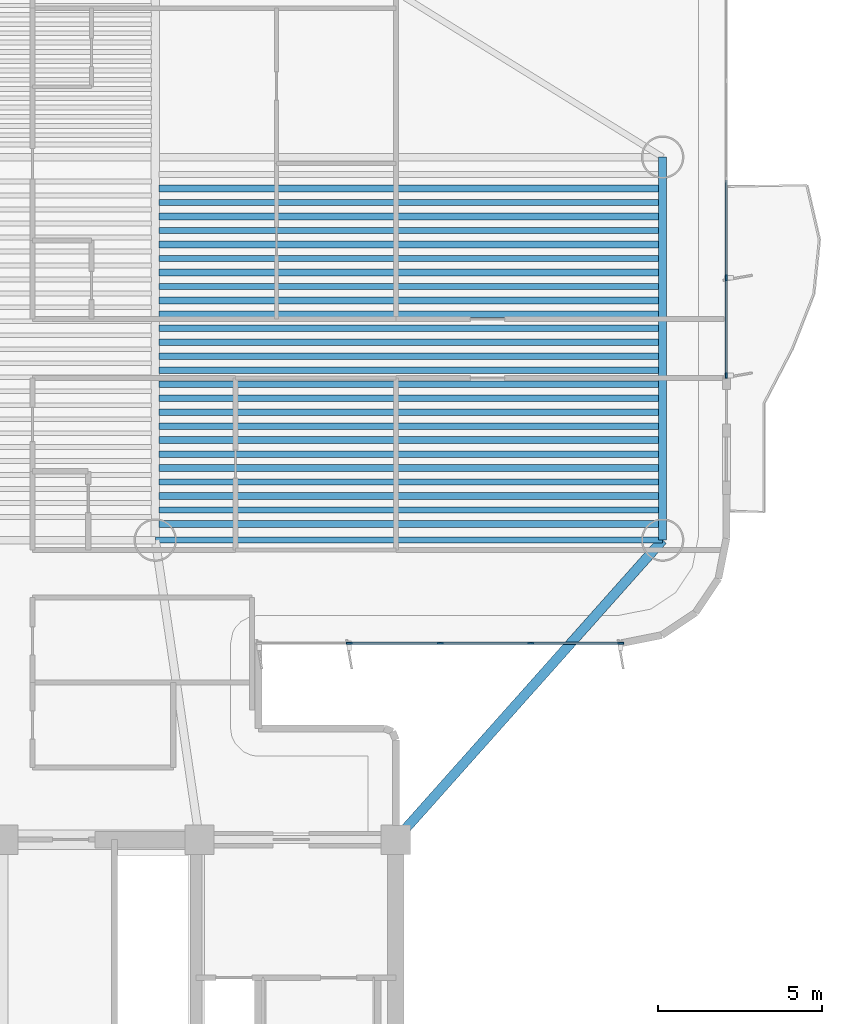
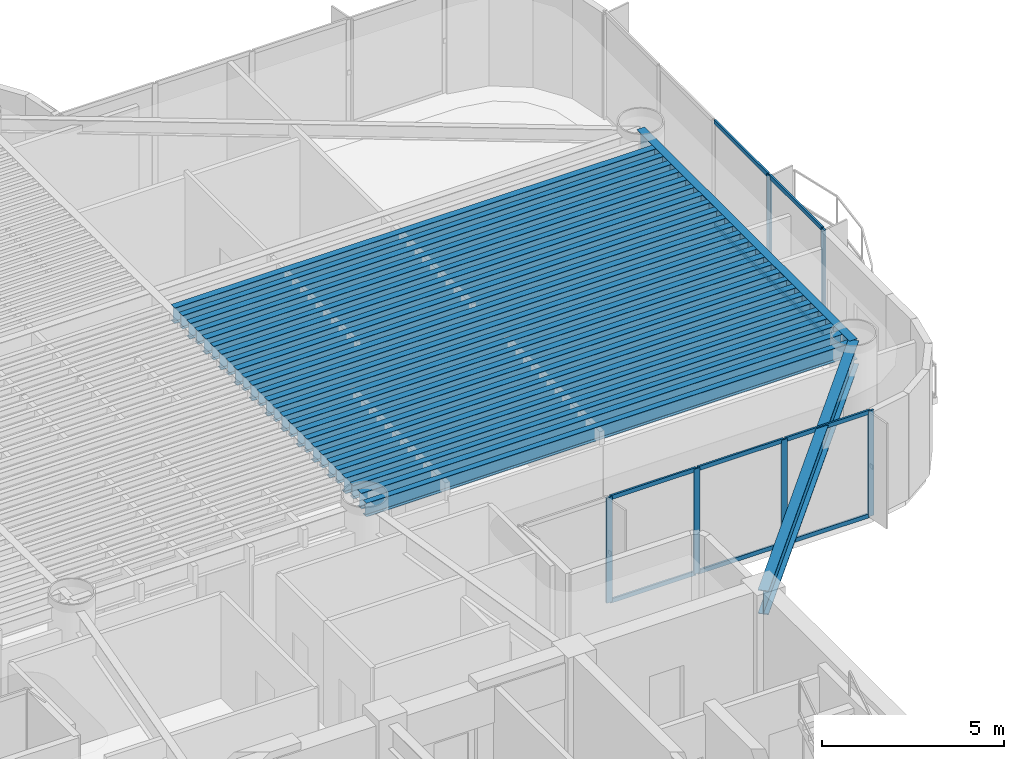
# One storey, part 4 of 17: 28 beams, 16 members, 2 elements without a shape of their own.
"""IFC4 building model written with IfcOpenShell, lengths in metres."""

from ifc_helpers import new_model, si_unit, direction, frame, origin, origin_2d, place, context, subcontext, project, spatial, rectangle, i_section, extrude, source, transform, mapped, material, layer, layer_set, material_profile, profile_set, type_object, element, aggregate, save


model = new_model("IFC4")

# Units and contexts
model_context = context("Model", 3, precision=1e-05, world=origin(), true_north=direction((0.0, 1.0)))
body_context = subcontext(model_context, "Body", "Model", "MODEL_VIEW")
ifc_project = project(units=[si_unit("LENGTHUNIT", "METRE"), si_unit("AREAUNIT", "SQUARE_METRE"), si_unit("VOLUMEUNIT", "CUBIC_METRE"), si_unit("PLANEANGLEUNIT", "RADIAN"), si_unit("MASSUNIT", "GRAM", prefix="KILO")], contexts=[model_context])

# Site, building, storey
site_placement = place(None, origin())
site = spatial("IfcSite", under=ifc_project, at=site_placement, CompositionType="ELEMENT")
building_placement = place(site_placement, origin())
building = spatial("IfcBuilding", under=site, at=building_placement, Name="Brelvock Crest Care Tower", CompositionType="ELEMENT")
storey_placement = place(building_placement, frame((0.0, 0.0, 97.3798828125)))
storey = spatial("IfcBuildingStorey", under=building, at=storey_placement, Name="L24", CompositionType="ELEMENT", Elevation=97.3798828125)

# Beams
ifc_material_1 = material(Name="Steel Grade 350", Category="steel")
ifc_material_profile_1 = material_profile(ifc_material_1, i_section(OverallWidth=0.208984375, OverallDepth=0.532958984375, WebThickness=0.01025390625, FlangeThickness=0.015625, FilletRadius=0.013916015625, at=origin_2d()), Name="530UB92.4")
ifc_profile_set_1 = profile_set([ifc_material_profile_1], Name="Steel Grade 350")
beam_type_1 = type_object("IfcBeamType", Name="BM-G2", PredefinedType="BEAM", material=ifc_profile_set_1)
shared_shape_1 = source(origin(), body_context, "Body", "SweptSolid", [
    extrude(i_section(OverallWidth=0.208984375, OverallDepth=0.532958984375, WebThickness=0.01025390625, FlangeThickness=0.015625, FilletRadius=0.013916015625, at=origin_2d()), origin(), (0.0, 0.0, 1.0), 15.27001953125),
])
for number, where, z_axis, x_axis, name in (
    (1, (40.764892578125, 27.641357421875, 3.263671875), (1.0, 0.0, 0.0), (0.0, 1.0, 0.0), "BM-JE-L24-1"),
    (2, (40.764892578125, 28.49560546875, 3.263671875), (1.0, 0.0, 0.0), (0.0, 1.0, 0.0), "BM-JE-L24-3"),
    (3, (40.764892578125, 29.349609375, 3.263671875), (1.0, 0.0, 0.0), (0.0, 1.0, 0.0), "BM-JE-L24-5"),
    (4, (40.764892578125, 30.20361328125, 3.263671875), (1.0, 0.0, 0.0), (0.0, 1.0, 0.0), "BM-JE-L24-7"),
    (5, (40.764892578125, 31.057861328125, 3.263671875), (1.0, 0.0, 0.0), (0.0, 1.0, 0.0), "BM-JE-L24-9"),
    (6, (40.764892578125, 31.911865234375, 3.263671875), (1.0, 0.0, 0.0), (0.0, 1.0, 0.0), "BM-JE-L24-11"),
    (7, (40.764892578125, 32.76611328125, 3.263671875), (1.0, 0.0, 0.0), (0.0, 1.0, 0.0), "BM-JE-L24-13"),
    (8, (40.764892578125, 33.6201171875, 3.263671875), (1.0, 0.0, 0.0), (0.0, 1.0, 0.0), "BM-JE-L24-15"),
    (9, (40.764892578125, 34.47412109375, 3.263671875), (1.0, 0.0, 0.0), (0.0, 1.0, 0.0), "BM-JE-L24-17"),
    (10, (40.764892578125, 35.328369140625, 3.263671875), (1.0, 0.0, 0.0), (0.0, 1.0, 0.0), "BM-JE-L24-19"),
    (11, (40.764892578125, 36.182373046875, 3.263671875), (1.0, 0.0, 0.0), (0.0, 1.0, 0.0), "BM-JE-L24-21"),
    (12, (40.764892578125, 37.03662109375, 3.263671875), (1.0, 0.0, 0.0), (0.0, 1.0, 0.0), "BM-JE-L24-23"),
    (13, (40.764892578125, 37.890625, 3.263671875), (1.0, 0.0, 0.0), (0.0, 1.0, 0.0), "BM-JE-L24-25"),
):
    element("IfcBeam", number, at=place(storey_placement, frame(where, z_axis=z_axis, x_axis=x_axis)), inside=storey, type_object=beam_type_1, Name=name, PredefinedType="BEAM", context=body_context, shape_type="MappedRepresentation", body=[
        mapped(shared_shape_1, transform((0.0, 0.0, 0.0), x_axis=(1.0, 0.0, 0.0), y_axis=(0.0, 1.0, 0.0), z_axis=(0.0, 0.0, 1.0), scale=1.0)),
    ])
ifc_material_profile_2 = material_profile(ifc_material_1, i_section(OverallWidth=0.19091796875, OverallDepth=0.4599609375, WebThickness=0.010009765625, FlangeThickness=0.01611328125, FilletRadius=0.011474609375, at=origin_2d()), Name="460UB82.1")
ifc_profile_set_2 = profile_set([ifc_material_profile_2], Name="Steel Grade 350")
beam_type_2 = type_object("IfcBeamType", Name="BM-G3", PredefinedType="BEAM", material=ifc_profile_set_2)
shared_shape_2 = source(origin(), body_context, "Body", "SweptSolid", [
    extrude(i_section(OverallWidth=0.19091796875, OverallDepth=0.4599609375, WebThickness=0.010009765625, FlangeThickness=0.01611328125, FilletRadius=0.011474609375, at=origin_2d()), origin(), (0.0, 0.0, 1.0), 15.27001953125),
])
for number, where, z_axis, x_axis, name in (
    (14, (40.764892578125, 28.068359375, 3.300048828125), (1.0, 0.0, 0.0), (0.0, 1.0, 0.0), "BM-JE-L24-2"),
    (15, (40.764892578125, 28.922607421875, 3.300048828125), (1.0, 0.0, 0.0), (0.0, 1.0, 0.0), "BM-JE-L24-4"),
    (16, (40.764892578125, 29.776611328125, 3.300048828125), (1.0, 0.0, 0.0), (0.0, 1.0, 0.0), "BM-JE-L24-6"),
    (17, (40.764892578125, 30.630615234375, 3.300048828125), (1.0, 0.0, 0.0), (0.0, 1.0, 0.0), "BM-JE-L24-8"),
    (18, (40.764892578125, 31.48486328125, 3.300048828125), (1.0, 0.0, 0.0), (0.0, 1.0, 0.0), "BM-JE-L24-10"),
    (19, (40.764892578125, 32.3388671875, 3.300048828125), (1.0, 0.0, 0.0), (0.0, 1.0, 0.0), "BM-JE-L24-12"),
    (20, (40.764892578125, 33.193115234375, 3.300048828125), (1.0, 0.0, 0.0), (0.0, 1.0, 0.0), "BM-JE-L24-14"),
    (21, (40.764892578125, 34.047119140625, 3.300048828125), (1.0, 0.0, 0.0), (0.0, 1.0, 0.0), "BM-JE-L24-16"),
    (22, (40.764892578125, 34.901123046875, 3.300048828125), (1.0, 0.0, 0.0), (0.0, 1.0, 0.0), "BM-JE-L24-18"),
    (23, (40.764892578125, 35.75537109375, 3.300048828125), (1.0, 0.0, 0.0), (0.0, 1.0, 0.0), "BM-JE-L24-20"),
    (24, (40.764892578125, 36.609619140625, 3.300048828125), (1.0, 0.0, 0.0), (0.0, 1.0, 0.0), "BM-JE-L24-22"),
    (25, (40.764892578125, 37.46337890625, 3.300048828125), (1.0, 0.0, 0.0), (0.0, 1.0, 0.0), "BM-JE-L24-24"),
):
    element("IfcBeam", number, at=place(storey_placement, frame(where, z_axis=z_axis, x_axis=x_axis)), inside=storey, type_object=beam_type_2, Name=name, PredefinedType="BEAM", context=body_context, shape_type="MappedRepresentation", body=[
        mapped(shared_shape_2, transform((0.0, 0.0, 0.0), x_axis=(1.0, 0.0, 0.0), y_axis=(0.0, 1.0, 0.0), z_axis=(0.0, 0.0, 1.0), scale=1.0)),
    ])
ifc_material_profile_3 = material_profile(ifc_material_1, i_section(OverallWidth=0.25, OverallDepth=0.699951171875, WebThickness=0.011962890625, FlangeThickness=0.02001953125, at=origin_2d()), Name="700WB150")
ifc_profile_set_3 = profile_set([ifc_material_profile_3], Name="Steel Grade 350")
beam_type_3 = type_object("IfcBeamType", Name="BM-G4", PredefinedType="BEAM", material=ifc_profile_set_3)
shared_shape_3 = source(origin(), body_context, "Body", "SweptSolid", [
    extrude(i_section(OverallWidth=0.25, OverallDepth=0.699951171875, WebThickness=0.011962890625, FlangeThickness=0.02001953125, at=origin_2d()), origin(), (0.0, 0.0, 1.0), 11.7001953125),
])
beam_1_placement = place(storey_placement, frame((56.14990234375, 27.14990234375, 3.18017578125), z_axis=(0.0, 1.0, 0.0), x_axis=(-1.0, 0.0, 0.0)))
element("IfcBeam", 26, at=beam_1_placement, inside=storey, type_object=beam_type_3, Name="BM-TWR-L24-02", PredefinedType="BEAM", context=body_context, shape_type="MappedRepresentation", body=[
    mapped(shared_shape_3, transform((0.0, 0.0, 0.0), x_axis=(1.0, 0.0, 0.0), y_axis=(0.0, 1.0, 0.0), z_axis=(0.0, 0.0, 1.0), scale=1.0)),
])
ifc_material_profile_4 = material_profile(ifc_material_1, i_section(OverallWidth=0.19091796875, OverallDepth=0.4599609375, WebThickness=0.010009765625, FlangeThickness=0.01611328125, FilletRadius=0.011474609375, at=origin_2d()), Name="460UB82.1")
ifc_profile_set_4 = profile_set([ifc_material_profile_4], Name="Steel Grade 350")
beam_type_4 = type_object("IfcBeamType", Name="BM-SP2", PredefinedType="SPANDREL", material=ifc_profile_set_4)
shared_shape_4 = source(origin(), body_context, "Body", "SweptSolid", [
    extrude(i_section(OverallWidth=0.19091796875, OverallDepth=0.4599609375, WebThickness=0.010009765625, FlangeThickness=0.01611328125, FilletRadius=0.011474609375, at=origin_2d()), origin(), (0.0, 0.0, 1.0), 15.5),
])
beam_2_placement = place(storey_placement, frame((40.64990234375, 27.14990234375, 3.300048828125), z_axis=(1.0, 0.0, 0.0), x_axis=(0.0, 1.0, 0.0)))
element("IfcBeam", 27, at=beam_2_placement, inside=storey, type_object=beam_type_4, Name="BM-TWR-L24-04", PredefinedType="SPANDREL", context=body_context, shape_type="MappedRepresentation", body=[
    mapped(shared_shape_4, transform((0.0, 0.0, 0.0), x_axis=(1.0, 0.0, 0.0), y_axis=(0.0, 1.0, 0.0), z_axis=(0.0, 0.0, 1.0), scale=1.0)),
])
ifc_material_profile_5 = material_profile(ifc_material_1, i_section(OverallWidth=0.300048828125, OverallDepth=0.800048828125, WebThickness=0.013916015625, FlangeThickness=0.02197265625, at=origin_2d()), Name="800WB192")
ifc_profile_set_5 = profile_set([ifc_material_profile_5], Name="Steel Grade 350")
beam_type_5 = type_object("IfcBeamType", Name="BM-G5", PredefinedType="BEAM", material=ifc_profile_set_5)
shared_shape_5 = source(origin(), body_context, "Body", "SweptSolid", [
    extrude(i_section(OverallWidth=0.300048828125, OverallDepth=0.800048828125, WebThickness=0.013916015625, FlangeThickness=0.02197265625, at=origin_2d()), origin(), (0.0, 0.0, 1.0), 12.253173828125),
])
beam_3_placement = place(storey_placement, frame((48.0, 18.0, 3.130126953125), z_axis=(0.665122829149, 0.746733970129, 0.0), x_axis=(-0.746733970129, 0.665122829149, 0.0)))
element("IfcBeam", 28, at=beam_3_placement, inside=storey, type_object=beam_type_5, Name="BM-THRO-E-L24", PredefinedType="BEAM", context=body_context, shape_type="MappedRepresentation", body=[
    mapped(shared_shape_5, transform((0.0, 0.0, 0.0), x_axis=(1.0, 0.0, 0.0), y_axis=(0.0, 1.0, 0.0), z_axis=(0.0, 0.0, 1.0), scale=1.0)),
])

# Curtain wall, members
ifc_material_2 = material(Name="Dark Glass Double Glazed Low-E", Category="glass")
ifc_layer = layer(ifc_material_2, 0.2099609375, Name="CWS-3")
ifc_layer_set = layer_set([ifc_layer], Name="Dark Glass Double Glazed Low-E")
curtain_wall_type = type_object("IfcCurtainWallType", Name="CWS-3", PredefinedType="NOTDEFINED", material=ifc_layer_set)
curtain_wall_1_placement = place(storey_placement, origin())
curtain_wall_1 = element("IfcCurtainWall", 29, at=curtain_wall_1_placement, inside=storey, type_object=curtain_wall_type, Name="L24 Curtain Wall E39A", PredefinedType="NOTDEFINED")
ifc_material_3 = material(Name="Aluminium 6063-T6", Category="aluminium")
ifc_material_profile_6 = material_profile(ifc_material_3, rectangle(XDim=0.06005859375, YDim=0.179931640625, at=origin_2d()), Name="ALU60x180")
ifc_profile_set_6 = profile_set([ifc_material_profile_6], Name="Aluminium 6063-T6")
member_type_1 = type_object("IfcMemberType", Name="CWM-2", PredefinedType="MULLION", material=ifc_profile_set_6)
shared_shape_6 = source(origin(), body_context, "Body", "SweptSolid", [
    extrude(rectangle(XDim=0.06005859375, YDim=0.179931640625, at=origin_2d()), origin(), (0.0, 0.0, 1.0), 3.530029296875),
])
member_1_placement = place(storey_placement, frame((58.10009765625, 35.16259765625, 0.0), z_axis=(0.0, 0.0, 1.0), x_axis=(1.0, 0.0, 0.0)))
member_1 = element("IfcMember", 30, at=member_1_placement, type_object=member_type_1, Name="CW-3 mullion 4", PredefinedType="MULLION", context=body_context, shape_type="MappedRepresentation", body=[
    mapped(shared_shape_6, transform((0.0, 0.0, 0.0), x_axis=(1.0, 0.0, 0.0), y_axis=(0.0, 1.0, 0.0), z_axis=(0.0, 0.0, 1.0), scale=1.0)),
])
member_2_placement = place(storey_placement, frame((58.10009765625, 32.179931640625, 0.0), z_axis=(0.0, 0.0, 1.0), x_axis=(1.0, 0.0, 0.0)))
member_2 = element("IfcMember", 31, at=member_2_placement, type_object=member_type_1, Name="CW-3 mullion 5", PredefinedType="MULLION", context=body_context, shape_type="MappedRepresentation", body=[
    mapped(shared_shape_6, transform((0.0, 0.0, 0.0), x_axis=(1.0, 0.0, 0.0), y_axis=(0.0, 1.0, 0.0), z_axis=(0.0, 0.0, 1.0), scale=1.0)),
])

curtain_wall_2_placement = place(storey_placement, origin())
curtain_wall_2 = element("IfcCurtainWall", 32, at=curtain_wall_2_placement, inside=storey, type_object=curtain_wall_type, Name="L24 Curtain Wall E44", PredefinedType="NOTDEFINED")
member_3_placement = place(storey_placement, frame((54.8701171875, 24.0, 0.0), z_axis=(0.0, 0.0, 1.0), x_axis=(0.0, -1.0, 0.0)))
member_3 = element("IfcMember", 33, at=member_3_placement, type_object=member_type_1, Name="CW-3 mullion 1", PredefinedType="MULLION", context=body_context, shape_type="MappedRepresentation", body=[
    mapped(shared_shape_6, transform((0.0, 0.0, 0.0), x_axis=(1.0, 0.0, 0.0), y_axis=(0.0, 1.0, 0.0), z_axis=(0.0, 0.0, 1.0), scale=1.0)),
])
member_4_placement = place(storey_placement, frame((52.125, 24.0, 0.0), z_axis=(0.0, 0.0, 1.0), x_axis=(0.0, -1.0, 0.0)))
member_4 = element("IfcMember", 34, at=member_4_placement, type_object=member_type_1, Name="CW-3 mullion 2", PredefinedType="MULLION", context=body_context, shape_type="MappedRepresentation", body=[
    mapped(shared_shape_6, transform((0.0, 0.0, 0.0), x_axis=(1.0, 0.0, 0.0), y_axis=(0.0, 1.0, 0.0), z_axis=(0.0, 0.0, 1.0), scale=1.0)),
])
member_5_placement = place(storey_placement, frame((49.35009765625, 24.0, 0.0), z_axis=(0.0, 0.0, 1.0), x_axis=(0.0, -1.0, 0.0)))
member_5 = element("IfcMember", 35, at=member_5_placement, type_object=member_type_1, Name="CW-3 mullion 3", PredefinedType="MULLION", context=body_context, shape_type="MappedRepresentation", body=[
    mapped(shared_shape_6, transform((0.0, 0.0, 0.0), x_axis=(1.0, 0.0, 0.0), y_axis=(0.0, 1.0, 0.0), z_axis=(0.0, 0.0, 1.0), scale=1.0)),
])
member_6_placement = place(storey_placement, frame((46.574951171875, 24.0, 0.0), z_axis=(0.0, 0.0, 1.0), x_axis=(0.0, -1.0, 0.0)))
member_6 = element("IfcMember", 36, at=member_6_placement, type_object=member_type_1, Name="CW-3 mullion 4", PredefinedType="MULLION", context=body_context, shape_type="MappedRepresentation", body=[
    mapped(shared_shape_6, transform((0.0, 0.0, 0.0), x_axis=(1.0, 0.0, 0.0), y_axis=(0.0, 1.0, 0.0), z_axis=(0.0, 0.0, 1.0), scale=1.0)),
])
ifc_material_profile_7 = material_profile(ifc_material_3, rectangle(XDim=0.06005859375, YDim=0.139892578125, at=origin_2d()), Name="ALU60x140")
ifc_profile_set_7 = profile_set([ifc_material_profile_7], Name="Aluminium 6063-T6")
member_type_2 = type_object("IfcMemberType", Name="CWT-2", PredefinedType="USERDEFINED", material=ifc_profile_set_7)
shared_shape_7 = source(origin(), body_context, "Body", "SweptSolid", [
    extrude(rectangle(XDim=0.06005859375, YDim=0.139892578125, at=origin_2d()), origin(), (0.0, 0.0, 1.0), 2.715087890625),
])
member_7_placement = place(storey_placement, frame((52.094970703125, 24.0, 0.030029296875), z_axis=(-1.0, 0.0, 0.0), x_axis=(0.0, -1.0, 0.0)))
member_7 = element("IfcMember", 37, at=member_7_placement, type_object=member_type_2, Name="CW-3 transom 2.1", ObjectType="TRANSOM", PredefinedType="USERDEFINED", context=body_context, shape_type="MappedRepresentation", body=[
    mapped(shared_shape_7, transform((0.0, 0.0, 0.0), x_axis=(1.0, 0.0, 0.0), y_axis=(0.0, 1.0, 0.0), z_axis=(0.0, 0.0, 1.0), scale=1.0)),
])
member_8_placement = place(storey_placement, frame((52.094970703125, 24.0, 3.5), z_axis=(-1.0, 0.0, 0.0), x_axis=(0.0, -1.0, 0.0)))
member_8 = element("IfcMember", 38, at=member_8_placement, type_object=member_type_2, Name="CW-3 transom 2.2", ObjectType="TRANSOM", PredefinedType="USERDEFINED", context=body_context, shape_type="MappedRepresentation", body=[
    mapped(shared_shape_7, transform((0.0, 0.0, 0.0), x_axis=(1.0, 0.0, 0.0), y_axis=(0.0, 1.0, 0.0), z_axis=(0.0, 0.0, 1.0), scale=1.0)),
])
member_9_placement = place(storey_placement, frame((49.320068359375, 24.0, 0.030029296875), z_axis=(-1.0, 0.0, 0.0), x_axis=(0.0, -1.0, 0.0)))
member_9 = element("IfcMember", 39, at=member_9_placement, type_object=member_type_2, Name="CW-3 transom 3.1", ObjectType="TRANSOM", PredefinedType="USERDEFINED", context=body_context, shape_type="MappedRepresentation", body=[
    mapped(shared_shape_7, transform((0.0, 0.0, 0.0), x_axis=(1.0, 0.0, 0.0), y_axis=(0.0, 1.0, 0.0), z_axis=(0.0, 0.0, 1.0), scale=1.0)),
])
member_10_placement = place(storey_placement, frame((49.320068359375, 24.0, 3.5), z_axis=(-1.0, 0.0, 0.0), x_axis=(0.0, -1.0, 0.0)))
member_10 = element("IfcMember", 40, at=member_10_placement, type_object=member_type_2, Name="CW-3 transom 3.2", ObjectType="TRANSOM", PredefinedType="USERDEFINED", context=body_context, shape_type="MappedRepresentation", body=[
    mapped(shared_shape_7, transform((0.0, 0.0, 0.0), x_axis=(1.0, 0.0, 0.0), y_axis=(0.0, 1.0, 0.0), z_axis=(0.0, 0.0, 1.0), scale=1.0)),
])
shared_shape_8 = source(origin(), body_context, "Body", "SweptSolid", [
    extrude(rectangle(XDim=0.06005859375, YDim=0.139892578125, at=origin_2d()), origin(), (0.0, 0.0, 1.0), 2.68505859375),
])
member_11_placement = place(storey_placement, frame((54.840087890625, 24.0, 0.030029296875), z_axis=(-1.0, 0.0, 0.0), x_axis=(0.0, -1.0, 0.0)))
member_11 = element("IfcMember", 41, at=member_11_placement, type_object=member_type_2, Name="CW-3 transom 1.1", ObjectType="TRANSOM", PredefinedType="USERDEFINED", context=body_context, shape_type="MappedRepresentation", body=[
    mapped(shared_shape_8, transform((0.0, 0.0, 0.0), x_axis=(1.0, 0.0, 0.0), y_axis=(0.0, 1.0, 0.0), z_axis=(0.0, 0.0, 1.0), scale=1.0)),
])
member_12_placement = place(storey_placement, frame((54.840087890625, 24.0, 3.5), z_axis=(-1.0, 0.0, 0.0), x_axis=(0.0, -1.0, 0.0)))
member_12 = element("IfcMember", 42, at=member_12_placement, type_object=member_type_2, Name="CW-3 transom 1.2", ObjectType="TRANSOM", PredefinedType="USERDEFINED", context=body_context, shape_type="MappedRepresentation", body=[
    mapped(shared_shape_8, transform((0.0, 0.0, 0.0), x_axis=(1.0, 0.0, 0.0), y_axis=(0.0, 1.0, 0.0), z_axis=(0.0, 0.0, 1.0), scale=1.0)),
])
aggregate(curtain_wall_2, [member_3, member_4, member_5, member_6, member_11, member_12, member_7, member_8, member_9, member_10])

# Member
shared_shape_9 = source(origin(), body_context, "Body", "SweptSolid", [
    extrude(rectangle(XDim=0.06005859375, YDim=0.139892578125, at=origin_2d()), origin(), (0.0, 0.0, 1.0), 2.922607421875),
])
member_13_placement = place(storey_placement, frame((58.10009765625, 35.132568359375, 0.030029296875), z_axis=(0.0, -1.0, 0.0), x_axis=(1.0, 0.0, 0.0)))
member_13 = element("IfcMember", 43, at=member_13_placement, type_object=member_type_2, Name="CW-3 transom 4.1", ObjectType="TRANSOM", PredefinedType="USERDEFINED", context=body_context, shape_type="MappedRepresentation", body=[
    mapped(shared_shape_9, transform((0.0, 0.0, 0.0), x_axis=(1.0, 0.0, 0.0), y_axis=(0.0, 1.0, 0.0), z_axis=(0.0, 0.0, 1.0), scale=1.0)),
])

member_14_placement = place(storey_placement, frame((58.10009765625, 35.132568359375, 3.5), z_axis=(0.0, -1.0, 0.0), x_axis=(1.0, 0.0, 0.0)))
member_14 = element("IfcMember", 44, at=member_14_placement, type_object=member_type_2, Name="CW-3 transom 4.2", ObjectType="TRANSOM", PredefinedType="USERDEFINED", context=body_context, shape_type="MappedRepresentation", body=[
    mapped(shared_shape_9, transform((0.0, 0.0, 0.0), x_axis=(1.0, 0.0, 0.0), y_axis=(0.0, 1.0, 0.0), z_axis=(0.0, 0.0, 1.0), scale=1.0)),
])

shared_shape_10 = source(origin(), body_context, "Body", "SweptSolid", [
    extrude(rectangle(XDim=0.06005859375, YDim=0.139892578125, at=origin_2d()), origin(), (0.0, 0.0, 1.0), 2.95263671875),
])
member_15_placement = place(storey_placement, frame((58.10009765625, 38.14501953125, 0.030029296875), z_axis=(0.0, -1.0, 0.0), x_axis=(1.0, 0.0, 0.0)))
member_15 = element("IfcMember", 45, at=member_15_placement, type_object=member_type_2, Name="CW-3 transom 3.1", ObjectType="TRANSOM", PredefinedType="USERDEFINED", context=body_context, shape_type="MappedRepresentation", body=[
    mapped(shared_shape_10, transform((0.0, 0.0, 0.0), x_axis=(1.0, 0.0, 0.0), y_axis=(0.0, 1.0, 0.0), z_axis=(0.0, 0.0, 1.0), scale=1.0)),
])

member_16_placement = place(storey_placement, frame((58.10009765625, 38.14501953125, 3.5), z_axis=(0.0, -1.0, 0.0), x_axis=(1.0, 0.0, 0.0)))
member_16 = element("IfcMember", 46, at=member_16_placement, type_object=member_type_2, Name="CW-3 transom 3.2", ObjectType="TRANSOM", PredefinedType="USERDEFINED", context=body_context, shape_type="MappedRepresentation", body=[
    mapped(shared_shape_10, transform((0.0, 0.0, 0.0), x_axis=(1.0, 0.0, 0.0), y_axis=(0.0, 1.0, 0.0), z_axis=(0.0, 0.0, 1.0), scale=1.0)),
])

aggregate(curtain_wall_1, [member_1, member_2, member_15, member_16, member_13, member_14])

save(model, "model.ifc")
